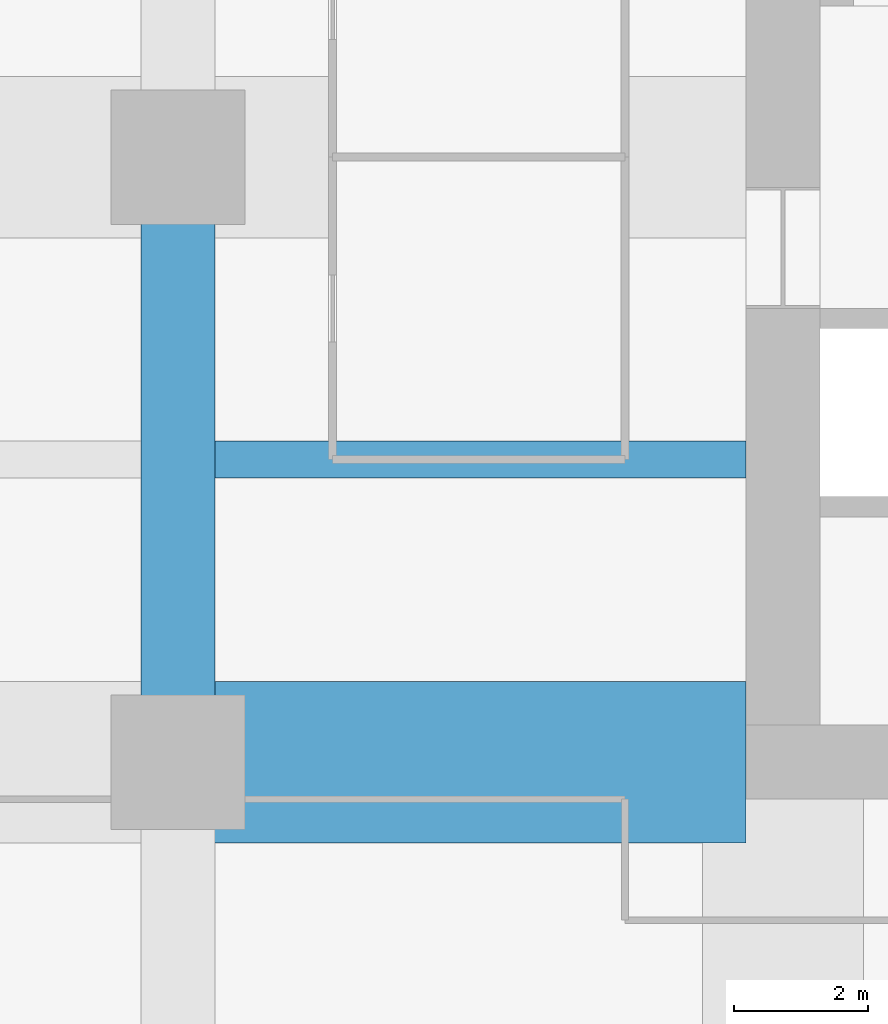
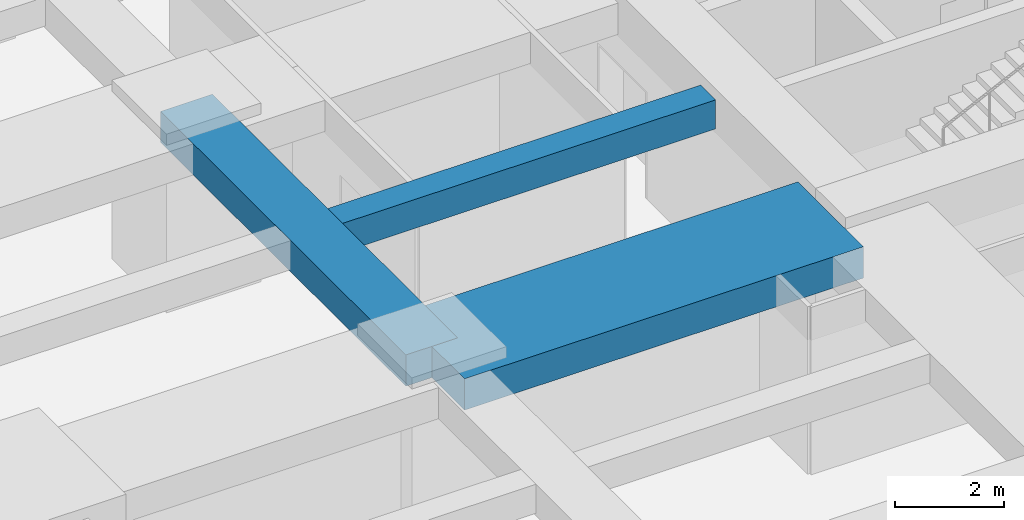
# One storey, part 11 of 35: 3 beams.
"""IFC4 building model written with IfcOpenShell, lengths in metres."""

from ifc_helpers import new_model, si_unit, direction, frame, origin, origin_2d, place, context, subcontext, project, spatial, rectangle, extrude, material, material_profile, profile_set, type_object, element, save


model = new_model("IFC4")

# Units and contexts
model_context = context("Model", 3, precision=1e-05, world=origin(), true_north=direction((0.0, 1.0)))
body_context = subcontext(model_context, "Body", "Model", "MODEL_VIEW")
ifc_project = project(units=[si_unit("LENGTHUNIT", "METRE"), si_unit("AREAUNIT", "SQUARE_METRE"), si_unit("VOLUMEUNIT", "CUBIC_METRE"), si_unit("PLANEANGLEUNIT", "RADIAN"), si_unit("MASSUNIT", "GRAM", prefix="KILO")], contexts=[model_context])

# Site, building, storey
site_placement = place(None, origin())
site = spatial("IfcSite", under=ifc_project, at=site_placement, CompositionType="ELEMENT")
building_placement = place(site_placement, origin())
building = spatial("IfcBuilding", under=site, at=building_placement, Name="Zorevar Civic Tower", CompositionType="ELEMENT")
storey_placement = place(building_placement, frame((0.0, 0.0, 162.199951171875)))
storey = spatial("IfcBuildingStorey", under=building, at=storey_placement, Name="L39", CompositionType="ELEMENT", Elevation=162.199951171875)

# Beams
ifc_material_1 = material(Name="Concrete C50/60", Category="concrete")
ifc_material_profile_1 = material_profile(ifc_material_1, rectangle(XDim=1.10009765625, YDim=0.699951171875, at=origin_2d()), Name="RC 1100x700")
ifc_profile_set_1 = profile_set([ifc_material_profile_1], Name="Concrete C50/60")
beam_type_1 = type_object("IfcBeamType", Name="Beam RC 1100x700", PredefinedType="BEAM", material=ifc_profile_set_1)
beam_1_placement = place(storey_placement, frame((9.0, 18.0, 3.400146484375), z_axis=(0.0, 1.0, 0.0), x_axis=(-1.0, 0.0, 0.0)))
element("IfcBeam", 1, at=beam_1_placement, inside=storey, type_object=beam_type_1, Name="Girder L40", PredefinedType="BEAM", context=body_context, shape_type="SweptSolid", body=[
    extrude(rectangle(XDim=1.10009765625, YDim=0.699951171875, at=origin_2d()), origin(), (0.0, 0.0, 1.0), 9.0),
])
ifc_material_2 = material(Name="Concrete C50/60", Category="concrete")
ifc_material_profile_2 = material_profile(ifc_material_2, rectangle(XDim=2.39990234375, YDim=0.699951171875, at=origin_2d()), Name="RC 2400x700")
ifc_profile_set_2 = profile_set([ifc_material_profile_2], Name="Concrete C50/60")
beam_type_2 = type_object("IfcBeamType", Name="Beam RC 2400x700", PredefinedType="BEAM", material=ifc_profile_set_2)
beam_2_placement = place(storey_placement, frame((9.0, 18.0, 3.400146484375), z_axis=(1.0, 0.0, 0.0), x_axis=(0.0, 1.0, 0.0)))
element("IfcBeam", 2, at=beam_2_placement, inside=storey, type_object=beam_type_2, Name="Girder L40", PredefinedType="BEAM", context=body_context, shape_type="SweptSolid", body=[
    extrude(rectangle(XDim=2.39990234375, YDim=0.699951171875, at=origin_2d()), origin(), (0.0, 0.0, 1.0), 8.449951171875),
])
ifc_material_3 = material(Name="Concrete C50/60", Category="concrete")
ifc_material_profile_3 = material_profile(ifc_material_3, rectangle(XDim=0.550048828125, YDim=0.64990234375, at=origin_2d()), Name="RC 550x650")
ifc_profile_set_3 = profile_set([ifc_material_profile_3], Name="Concrete C50/60")
beam_type_3 = type_object("IfcBeamType", Name="Beam RC 550x650", PredefinedType="BEAM", material=ifc_profile_set_3)
beam_3_placement = place(storey_placement, frame((9.550048828125, 22.5, 3.425048828125), z_axis=(1.0, 0.0, 0.0), x_axis=(0.0, 1.0, 0.0)))
element("IfcBeam", 3, at=beam_3_placement, inside=storey, type_object=beam_type_3, Name="Secondary beam L40", PredefinedType="BEAM", context=body_context, shape_type="SweptSolid", body=[
    extrude(rectangle(XDim=0.550048828125, YDim=0.64990234375, at=origin_2d()), origin(), (0.0, 0.0, 1.0), 7.89990234375),
])

save(model, "model.ifc")
